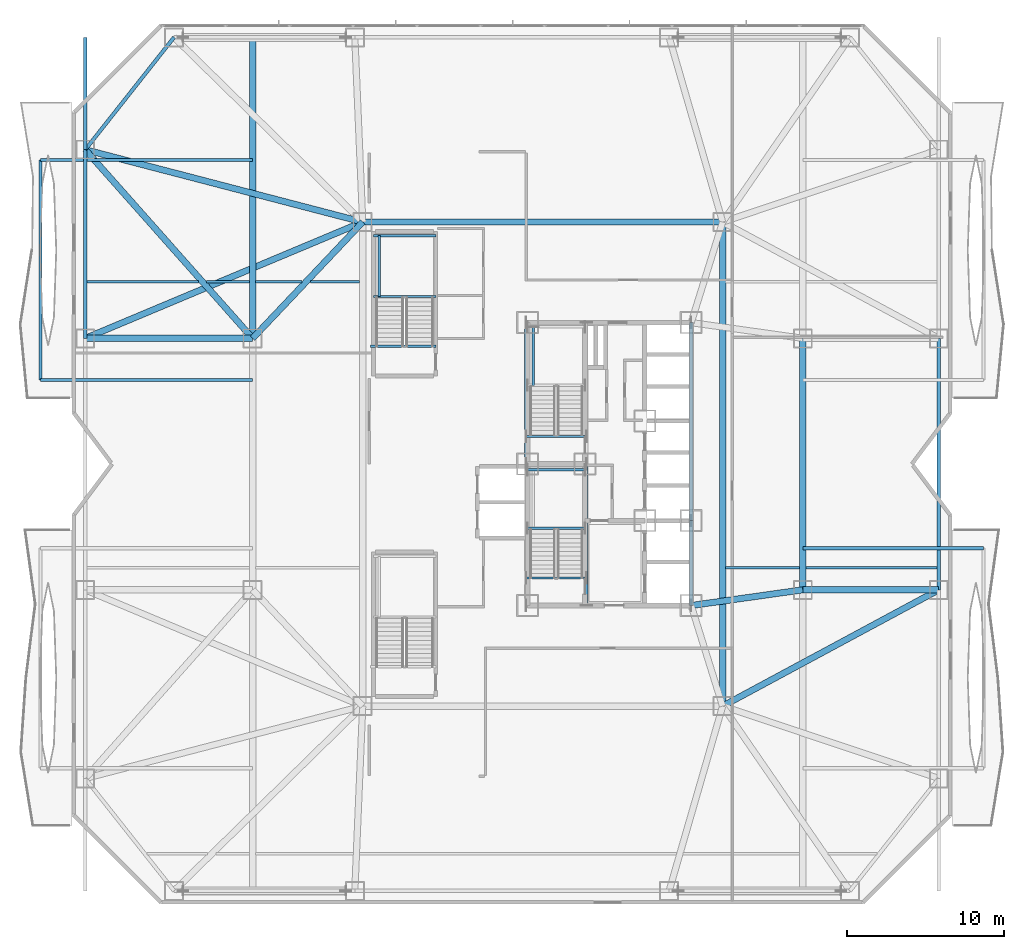
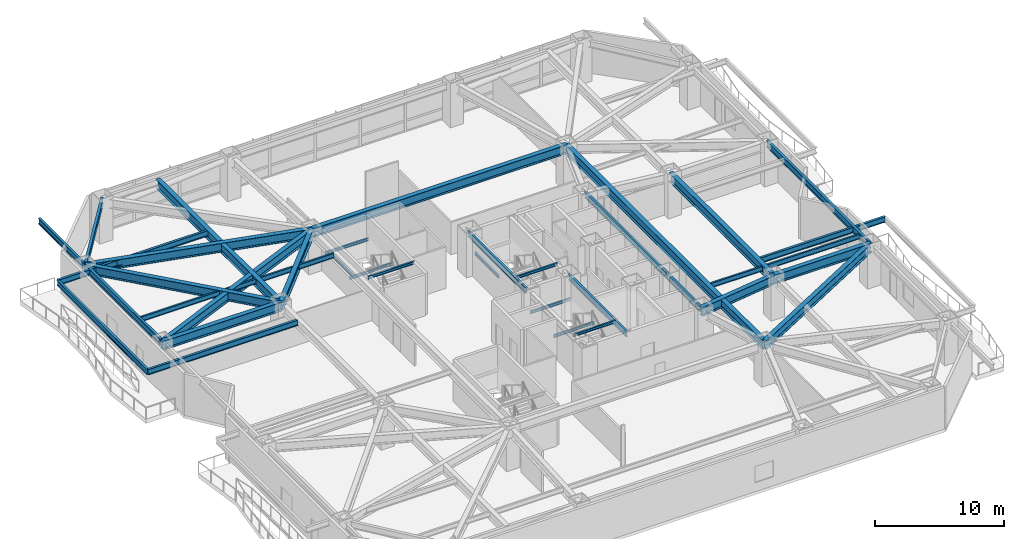
# One storey, part 2 of 24: 39 beams.
"""IFC4 building model written with IfcOpenShell, lengths in metres."""

import ifcopenshell
import ifcopenshell.guid

model = None  # the IFC model being written
_history = None  # IfcOwnerHistory: only IFC2X3 demands one
_inside = {}  # id of a spatial element -> (the spatial element, [elements in it])
_under = {}  # id of a project, library or spatial element -> (it, [spatial elements below it])
_declared = {}  # id of a project -> (the project, [libraries it declares])
_typed = {}  # id of a type object -> (the type object, [elements of that type])
_made_of = {}  # id of a material, layer set ... -> (it, [elements and type objects made of it])


def new_model(schema):
    """Start an empty IFC model of exactly this schema.

    Asked for "IFC4X3", IfcOpenShell would pick the latest addendum, in which some entities
    have other attributes; the version numbers below select the first issue.
    IFC2X3 requires an IfcOwnerHistory on every rooted entity: one is made here for all.
    """
    global model, _history
    if schema == "IFC4X3":
        model = ifcopenshell.file(schema_version=(4, 3, 0, 0))
    else:
        model = ifcopenshell.file(schema=schema)
    _inside.clear()
    _under.clear()
    _declared.clear()
    _typed.clear()
    _made_of.clear()
    _history = None
    if model.schema == "IFC2X3":
        org = make("IfcOrganization", Name="unknown")
        user = make(
            "IfcPersonAndOrganization",
            ThePerson=make("IfcPerson", FamilyName="unknown"),
            TheOrganization=org,
        )
        app = make(
            "IfcApplication",
            ApplicationDeveloper=org,
            Version="unknown",
            ApplicationFullName="unknown",
            ApplicationIdentifier="unknown",
        )
        _history = make(
            "IfcOwnerHistory",
            OwningUser=user,
            OwningApplication=app,
            ChangeAction="ADDED",
            CreationDate=0,
        )
    return model


def make(cls, **values):
    """One entity of the class cls with the attributes given. An attribute that is None is left unset."""
    return model.create_entity(
        cls, **{name: value for name, value in values.items() if value is not None}
    )


def rooted(cls, **values):
    """An entity with a GlobalId (a new one), such as an element, a storey or a relation."""
    return make(cls, GlobalId=ifcopenshell.guid.new(), OwnerHistory=_history, **values)


def si_unit(unit_type, name, prefix=None):
    """IfcSIUnit, for example si_unit("LENGTHUNIT", "METRE", prefix="MILLI")."""
    return make("IfcSIUnit", UnitType=unit_type, Prefix=prefix, Name=name)


def assignment(units):
    """IfcUnitAssignment: the units of a project."""
    return None if units is None else make("IfcUnitAssignment", Units=units)


def point(xyz):
    """IfcCartesianPoint."""
    return None if xyz is None else make("IfcCartesianPoint", Coordinates=xyz)


def direction(xyz):
    """IfcDirection."""
    return None if xyz is None else make("IfcDirection", DirectionRatios=xyz)


def frame(location, z_axis=None, x_axis=None):
    """IfcAxis2Placement3D, a coordinate frame: its origin and axes. An axis left out is left unset."""
    return make(
        "IfcAxis2Placement3D",
        Location=point(location),
        Axis=direction(z_axis),
        RefDirection=direction(x_axis),
    )


def frame_2d(location, x_axis=None):
    """IfcAxis2Placement2D, a coordinate frame in the plane: its origin and x axis."""
    return make(
        "IfcAxis2Placement2D", Location=point(location), RefDirection=direction(x_axis)
    )


def origin():
    """The frame at (0, 0, 0) with its axes left unset."""
    return frame((0.0, 0.0, 0.0))


def origin_2d():
    """The frame at (0, 0) in the plane with its x axis left unset."""
    return frame_2d((0.0, 0.0))


def place(relative_to, where):
    """IfcLocalPlacement: puts the frame where relative to a parent placement (None: the world)."""
    return make(
        "IfcLocalPlacement", PlacementRelTo=relative_to, RelativePlacement=where
    )


def context(
    kind, dimensions, precision=None, world=None, true_north=None, identifier=None
):
    """IfcGeometricRepresentationContext, for example the 3D "Model" context."""
    return make(
        "IfcGeometricRepresentationContext",
        ContextIdentifier=identifier,
        ContextType=kind,
        CoordinateSpaceDimension=dimensions,
        Precision=precision,
        WorldCoordinateSystem=world,
        TrueNorth=true_north,
    )


def subcontext(parent, identifier, kind, view, scale=None):
    """IfcGeometricRepresentationSubContext, for example "Body" below "Model"."""
    return make(
        "IfcGeometricRepresentationSubContext",
        ContextIdentifier=identifier,
        ContextType=kind,
        ParentContext=parent,
        TargetScale=scale,
        TargetView=view,
    )


def project(units=None, contexts=None):
    """IfcProject with its units and contexts."""
    return rooted(
        "IfcProject",
        Name="project",
        RepresentationContexts=contexts,
        UnitsInContext=assignment(units),
    )


def spatial(cls, under=None, at=None, **own):
    """A site, building, storey or space (cls), placed at a placement, below another one or the project."""
    s = rooted(cls, ObjectPlacement=at, **own)
    if under is not None:
        _under.setdefault(under.id(), (under, []))[1].append(s)
    return s


def profile(cls, at=None, kind="AREA", **sizes):
    """A parametric profile (cls). Its sizes go by their IFC names, for example OverallWidth=200.0."""
    return make(cls, ProfileType=kind, Position=at, **sizes)


def i_section(**sizes):
    """IfcIShapeProfileDef."""
    return profile("IfcIShapeProfileDef", **sizes)


def extrude(swept, where, along, depth):
    """IfcExtrudedAreaSolid: the profile swept, set in the frame where, extruded along a direction by depth."""
    return make(
        "IfcExtrudedAreaSolid",
        SweptArea=swept,
        Position=where,
        ExtrudedDirection=direction(along),
        Depth=depth,
    )


def shape(context_of_items, identifier, shape_type, items):
    """IfcShapeRepresentation: the items that make up one representation, for example the "Body"."""
    return make(
        "IfcShapeRepresentation",
        ContextOfItems=context_of_items,
        RepresentationIdentifier=identifier,
        RepresentationType=shape_type,
        Items=items,
    )


def material(Name=None, Category=None):
    """IfcMaterial."""
    return make("IfcMaterial", Name=Name, Category=Category)


def material_profile(
    of_material, cross_section, Name=None, Category=None, Priority=None
):
    """IfcMaterialProfile: a cross section and its material."""
    return make(
        "IfcMaterialProfile",
        Name=Name,
        Material=of_material,
        Profile=cross_section,
        Priority=Priority,
        Category=Category,
    )


def profile_set(profiles, Name=None, composite=None):
    """IfcMaterialProfileSet."""
    return make(
        "IfcMaterialProfileSet",
        Name=Name,
        MaterialProfiles=profiles,
        CompositeProfile=composite,
    )


def made_of(thing, what):
    """Note that an element or type object is made of a material, layer set ...; save() writes the relation."""
    if what is not None:
        _made_of.setdefault(what.id(), (what, []))[1].append(thing)
    return thing


def type_object(cls, material=None, **own):
    """A type object (cls), such as IfcWallType, which elements share."""
    return made_of(rooted(cls, **own), material)


def element(
    cls,
    number,
    at=None,
    inside=None,
    cuts=None,
    type_object=None,
    material=None,
    context=None,
    identifier="Body",
    shape_type=None,
    held_by="IfcProductDefinitionShape",
    body=None,
    shapes=None,
    **own,
):
    """One element of the class cls, such as IfcWall. Its Tag is "e" and its number.

    at: its placement. inside: the storey or other place that contains it. cuts: it is an
    opening in that element (IfcRelVoidsElement). A single representation is given by context,
    identifier, shape_type and body (its items); several are given by shapes. held_by: the class
    of the entity that holds the representations. save() writes the other relations.
    """
    e = rooted(cls, Tag="e%d" % number, ObjectPlacement=at, **own)
    if body is not None:
        shapes = [shape(context, identifier, shape_type, body)]
    if shapes is not None:
        e.Representation = make(held_by, Representations=shapes)
    if inside is not None:
        _inside.setdefault(inside.id(), (inside, []))[1].append(e)
    if cuts is not None:
        rooted(
            "IfcRelVoidsElement", RelatingBuildingElement=cuts, RelatedOpeningElement=e
        )
    if type_object is not None:
        _typed.setdefault(type_object.id(), (type_object, []))[1].append(e)
    return made_of(e, material)


def aggregate(whole, parts):
    """IfcRelAggregates: a whole, such as a stair, and the parts it consists of."""
    return rooted("IfcRelAggregates", RelatingObject=whole, RelatedObjects=parts)


def save(model, path):
    """Write the relations noted so far, then the file.

    IfcRelAggregates (storeys below a building ...), IfcRelContainedInSpatialStructure (elements
    in a storey), IfcRelDefinesByType, IfcRelAssociatesMaterial and IfcRelDeclares: one each for
    every whole, place, type object, material and project.
    """
    for whole, parts in _under.values():
        aggregate(whole, parts)
    for where, things in _inside.values():
        rooted(
            "IfcRelContainedInSpatialStructure",
            RelatedElements=things,
            RelatingStructure=where,
        )
    for kind, things in _typed.values():
        rooted("IfcRelDefinesByType", RelatedObjects=things, RelatingType=kind)
    for what, things in _made_of.values():
        rooted("IfcRelAssociatesMaterial", RelatedObjects=things, RelatingMaterial=what)
    for by, libraries in _declared.values():
        rooted("IfcRelDeclares", RelatingContext=by, RelatedDefinitions=libraries)
    model.write(path)


model = new_model("IFC4")

# Units and contexts
model_context = context("Model", 3, precision=1e-05, world=origin(), true_north=direction((0.0, 1.0)))
body_context = subcontext(model_context, "Body", "Model", "MODEL_VIEW")
ifc_project = project(units=[si_unit("LENGTHUNIT", "METRE"), si_unit("AREAUNIT", "SQUARE_METRE"), si_unit("VOLUMEUNIT", "CUBIC_METRE"), si_unit("PLANEANGLEUNIT", "RADIAN"), si_unit("MASSUNIT", "GRAM", prefix="KILO")], contexts=[model_context])

# Site, building, storey
site_placement = place(None, origin())
site = spatial("IfcSite", under=ifc_project, at=site_placement, CompositionType="ELEMENT")
building_placement = place(site_placement, origin())
building = spatial("IfcBuilding", under=site, at=building_placement, Name="Khamvora Tower", CompositionType="ELEMENT")
storey_placement = place(building_placement, frame((0.0, 0.0, 20.39990234375)))
storey = spatial("IfcBuildingStorey", under=building, at=storey_placement, Name="L04", CompositionType="ELEMENT", Elevation=20.39990234375)

# Beams
ifc_material = material(Name="Steel S355", Category="steel")
ifc_material_profile_1 = material_profile(ifc_material, i_section(OverallWidth=0.154052734375, OverallDepth=0.458984375, WebThickness=0.009033203125, FlangeThickness=0.014892578125, FilletRadius=0.011962890625, at=origin_2d()), Name="W460x68")
ifc_profile_set_1 = profile_set([ifc_material_profile_1], Name="Steel S355")
beam_type_1 = type_object("IfcBeamType", Name="BM-JS-W460x68", PredefinedType="JOIST", material=ifc_profile_set_1)
beam_1_placement = place(storey_placement, frame((41.594970703125, 21.39990234375, 3.690185546875), z_axis=(1.0, 0.0, 0.0), x_axis=(0.0, 1.0, 0.0)))
element("IfcBeam", 1, at=beam_1_placement, inside=storey, type_object=beam_type_1, Name="L04 secondary floor joist 09", PredefinedType="JOIST", context=body_context, shape_type="SweptSolid", body=[
    extrude(i_section(OverallWidth=0.154052734375, OverallDepth=0.458984375, WebThickness=0.009033203125, FlangeThickness=0.014892578125, FilletRadius=0.011962890625, at=origin_2d()), origin(), (0.0, 0.0, 1.0), 4.7099609375),
])
beam_2_placement = place(storey_placement, frame((46.695068359375, 21.39990234375, 3.690185546875), z_axis=(1.0, 0.0, 0.0), x_axis=(0.0, 1.0, 0.0)))
element("IfcBeam", 2, at=beam_2_placement, inside=storey, type_object=beam_type_1, Name="L04 secondary floor joist 10", PredefinedType="JOIST", context=body_context, shape_type="SweptSolid", body=[
    extrude(i_section(OverallWidth=0.154052734375, OverallDepth=0.458984375, WebThickness=0.009033203125, FlangeThickness=0.014892578125, FilletRadius=0.011962890625, at=origin_2d()), origin(), (0.0, 0.0, 1.0), 8.344970703125),
])
beam_3_placement = place(storey_placement, frame((0.9599609375, 39.60009765625, 3.690185546875), z_axis=(1.0, 0.0, 0.0), x_axis=(0.0, 1.0, 0.0)))
element("IfcBeam", 3, at=beam_3_placement, inside=storey, type_object=beam_type_1, Name="L04 secondary floor joist 11", PredefinedType="JOIST", context=body_context, shape_type="SweptSolid", body=[
    extrude(i_section(OverallWidth=0.154052734375, OverallDepth=0.458984375, WebThickness=0.009033203125, FlangeThickness=0.014892578125, FilletRadius=0.011962890625, at=origin_2d()), origin(), (0.0, 0.0, 1.0), 7.0830078125),
])
beam_4_placement = place(storey_placement, frame((8.56689453125, 39.60009765625, 3.690185546875), z_axis=(1.0, 0.0, 0.0), x_axis=(0.0, 1.0, 0.0)))
element("IfcBeam", 4, at=beam_4_placement, inside=storey, type_object=beam_type_1, Name="L04 secondary floor joist 12", PredefinedType="JOIST", context=body_context, shape_type="SweptSolid", body=[
    extrude(i_section(OverallWidth=0.154052734375, OverallDepth=0.458984375, WebThickness=0.009033203125, FlangeThickness=0.014892578125, FilletRadius=0.011962890625, at=origin_2d()), origin(), (0.0, 0.0, 1.0), 2.738037109375),
])
beam_5_placement = place(storey_placement, frame((11.695068359375, 39.60009765625, 3.690185546875), z_axis=(1.0, 0.0, 0.0), x_axis=(0.0, 1.0, 0.0)))
element("IfcBeam", 5, at=beam_5_placement, inside=storey, type_object=beam_type_1, Name="L04 secondary floor joist 13", PredefinedType="JOIST", context=body_context, shape_type="SweptSolid", body=[
    extrude(i_section(OverallWidth=0.154052734375, OverallDepth=0.458984375, WebThickness=0.009033203125, FlangeThickness=0.014892578125, FilletRadius=0.011962890625, at=origin_2d()), origin(), (0.0, 0.0, 1.0), 2.93994140625),
])
beam_6_placement = place(storey_placement, frame((15.176025390625, 39.60009765625, 3.690185546875), z_axis=(1.0, 0.0, 0.0), x_axis=(0.0, 1.0, 0.0)))
element("IfcBeam", 6, at=beam_6_placement, inside=storey, type_object=beam_type_1, Name="L04 secondary floor joist 14", PredefinedType="JOIST", context=body_context, shape_type="SweptSolid", body=[
    extrude(i_section(OverallWidth=0.154052734375, OverallDepth=0.458984375, WebThickness=0.009033203125, FlangeThickness=0.014892578125, FilletRadius=0.011962890625, at=origin_2d()), origin(), (0.0, 0.0, 1.0), 3.12890625),
])
ifc_material_profile_2 = material_profile(ifc_material, i_section(OverallWidth=0.14697265625, OverallDepth=0.261962890625, WebThickness=0.007080078125, FlangeThickness=0.010986328125, FilletRadius=0.008056640625, at=origin_2d()), Name="W250x39")
ifc_profile_set_2 = profile_set([ifc_material_profile_2], Name="Steel S355")
beam_type_2 = type_object("IfcBeamType", Name="BM-LN-W250x39", PredefinedType="LINTEL", material=ifc_profile_set_2)
for number, where, z_axis, x_axis, name in (
    (7, (29.0, 23.9150390625, 1.76904296875), (1.0, 0.0, 0.0), (0.0, 1.0, 0.0), "L04 ST-01 half-landing support beam 1.1"),
    (8, (29.0, 27.6298828125, 1.76904296875), (1.0, 0.0, 0.0), (0.0, 1.0, 0.0), "L04 ST-01 half-landing support beam 1.2"),
):
    element("IfcBeam", number, at=place(storey_placement, frame(where, z_axis=z_axis, x_axis=x_axis)), inside=storey, type_object=beam_type_2, Name=name, PredefinedType="LINTEL", context=body_context, shape_type="SweptSolid", body=[
        extrude(i_section(OverallWidth=0.14697265625, OverallDepth=0.261962890625, WebThickness=0.007080078125, FlangeThickness=0.010986328125, FilletRadius=0.008056640625, at=origin_2d()), origin(), (0.0, 0.0, 1.0), 3.64990234375),
    ])
beam_7_placement = place(storey_placement, frame((29.35009765625, 33.014892578125, 1.76904296875), z_axis=(0.0, 1.0, 0.0), x_axis=(-1.0, 0.0, 0.0)))
element("IfcBeam", 9, at=beam_7_placement, inside=storey, type_object=beam_type_2, Name="L04 ST-02 half-landing edge stringer 1", PredefinedType="LINTEL", context=body_context, shape_type="SweptSolid", body=[
    extrude(i_section(OverallWidth=0.14697265625, OverallDepth=0.261962890625, WebThickness=0.007080078125, FlangeThickness=0.010986328125, FilletRadius=0.008056640625, at=origin_2d()), origin(), (0.0, 0.0, 1.0), 3.715087890625),
])
for number, where, z_axis, x_axis, name in (
    (10, (19.199951171875, 38.6650390625, 1.76904296875), (1.0, 0.0, 0.0), (0.0, 1.0, 0.0), "L04 ST-04 half-landing support beam 1.1"),
    (11, (19.199951171875, 42.530029296875, 1.76904296875), (1.0, 0.0, 0.0), (0.0, 1.0, 0.0), "L04 ST-04 half-landing support beam 1.2"),
):
    element("IfcBeam", number, at=place(storey_placement, frame(where, z_axis=z_axis, x_axis=x_axis)), inside=storey, type_object=beam_type_2, Name=name, PredefinedType="LINTEL", context=body_context, shape_type="SweptSolid", body=[
        extrude(i_section(OverallWidth=0.14697265625, OverallDepth=0.261962890625, WebThickness=0.007080078125, FlangeThickness=0.010986328125, FilletRadius=0.008056640625, at=origin_2d()), origin(), (0.0, 0.0, 1.0), 3.949951171875),
    ])
beam_8_placement = place(storey_placement, frame((19.550048828125, 38.6650390625, 1.76904296875), z_axis=(0.0, 1.0, 0.0), x_axis=(-1.0, 0.0, 0.0)))
element("IfcBeam", 12, at=beam_8_placement, inside=storey, type_object=beam_type_2, Name="L04 ST-04 half-landing edge stringer 1", PredefinedType="LINTEL", context=body_context, shape_type="SweptSolid", body=[
    extrude(i_section(OverallWidth=0.14697265625, OverallDepth=0.261962890625, WebThickness=0.007080078125, FlangeThickness=0.010986328125, FilletRadius=0.008056640625, at=origin_2d()), origin(), (0.0, 0.0, 1.0), 3.864990234375),
])
for number, where, z_axis, x_axis, name in (
    (13, (28.89990234375, 20.75, 3.794189453125), (1.0, 0.0, 0.0), (0.0, 1.0, 0.0), "L04 exit stair ST-01 landing trimmer beam"),
    (14, (28.89990234375, 29.75, 3.794189453125), (1.0, 0.0, 0.0), (0.0, 1.0, 0.0), "L04 exit stair ST-02 landing trimmer beam"),
):
    element("IfcBeam", number, at=place(storey_placement, frame(where, z_axis=z_axis, x_axis=x_axis)), inside=storey, type_object=beam_type_2, Name=name, PredefinedType="LINTEL", context=body_context, shape_type="SweptSolid", body=[
        extrude(i_section(OverallWidth=0.14697265625, OverallDepth=0.261962890625, WebThickness=0.007080078125, FlangeThickness=0.010986328125, FilletRadius=0.008056640625, at=origin_2d()), origin(), (0.0, 0.0, 1.0), 3.830078125),
    ])
beam_9_placement = place(storey_placement, frame((19.0, 35.5, 3.794189453125), z_axis=(1.0, 0.0, 0.0), x_axis=(0.0, 1.0, 0.0)))
element("IfcBeam", 15, at=beam_9_placement, inside=storey, type_object=beam_type_2, Name="L04 podium stair ST04 landing trimmer beam", PredefinedType="LINTEL", context=body_context, shape_type="SweptSolid", body=[
    extrude(i_section(OverallWidth=0.14697265625, OverallDepth=0.261962890625, WebThickness=0.007080078125, FlangeThickness=0.010986328125, FilletRadius=0.008056640625, at=origin_2d()), origin(), (0.0, 0.0, 1.0), 4.14990234375),
])
ifc_material_profile_3 = material_profile(ifc_material, i_section(OverallWidth=0.39990234375, OverallDepth=0.85498046875, WebThickness=0.01806640625, FlangeThickness=0.029052734375, FilletRadius=0.01806640625, at=origin_2d()), Name="W840x299")
ifc_profile_set_3 = profile_set([ifc_material_profile_3], Name="Steel S355")
beam_type_3 = type_object("IfcBeamType", Name="BM-PG-W840x299", PredefinedType="BEAM", material=ifc_profile_set_3)
beam_10_placement = place(storey_placement, frame((41.39990234375, 12.60009765625, 3.4931640625), z_axis=(0.0, 1.0, 0.0), x_axis=(-1.0, 0.0, 0.0)))
element("IfcBeam", 16, at=beam_10_placement, inside=storey, type_object=beam_type_3, Name="L04 longitudinal frame girder P18-P20", PredefinedType="BEAM", context=body_context, shape_type="SweptSolid", body=[
    extrude(i_section(OverallWidth=0.39990234375, OverallDepth=0.85498046875, WebThickness=0.01806640625, FlangeThickness=0.029052734375, FilletRadius=0.01806640625, at=origin_2d()), origin(), (0.0, 0.0, 1.0), 30.7998046875),
])
beam_11_placement = place(storey_placement, frame((18.5, 43.39990234375, 3.4931640625), z_axis=(1.0, 0.0, 0.0), x_axis=(0.0, 1.0, 0.0)))
element("IfcBeam", 17, at=beam_11_placement, inside=storey, type_object=beam_type_3, Name="L04 longitudinal frame girder P19-P20", PredefinedType="BEAM", context=body_context, shape_type="SweptSolid", body=[
    extrude(i_section(OverallWidth=0.39990234375, OverallDepth=0.85498046875, WebThickness=0.01806640625, FlangeThickness=0.029052734375, FilletRadius=0.01806640625, at=origin_2d()), origin(), (0.0, 0.0, 1.0), 22.89990234375),
])
beam_12_placement = place(storey_placement, frame((46.5, 20.0, 3.4931640625), z_axis=(0.0, 1.0, 0.0), x_axis=(-1.0, 0.0, 0.0)))
element("IfcBeam", 18, at=beam_12_placement, inside=storey, type_object=beam_type_3, Name="L04 longitudinal frame girder P23-P24", PredefinedType="BEAM", context=body_context, shape_type="SweptSolid", body=[
    extrude(i_section(OverallWidth=0.39990234375, OverallDepth=0.85498046875, WebThickness=0.01806640625, FlangeThickness=0.029052734375, FilletRadius=0.01806640625, at=origin_2d()), origin(), (0.0, 0.0, 1.0), 16.0),
])
beam_13_placement = place(storey_placement, frame((11.5, 36.0, 3.4931640625), z_axis=(-1.0, 0.0, 0.0), x_axis=(0.0, -1.0, 0.0)))
element("IfcBeam", 19, at=beam_13_placement, inside=storey, type_object=beam_type_3, Name="L04 primary floor girder P11", PredefinedType="BEAM", context=body_context, shape_type="SweptSolid", body=[
    extrude(i_section(OverallWidth=0.39990234375, OverallDepth=0.85498046875, WebThickness=0.01806640625, FlangeThickness=0.029052734375, FilletRadius=0.01806640625, at=origin_2d()), origin(), (0.0, 0.0, 1.0), 10.64990234375),
])
beam_14_placement = place(storey_placement, frame((11.5, 36.0, 3.4931640625), z_axis=(-0.6637799472, 0.747927925468, 0.0), x_axis=(-0.747927925468, -0.6637799472, 0.0)))
element("IfcBeam", 20, at=beam_14_placement, inside=storey, type_object=beam_type_3, Name="L04 primary floor girder P12", PredefinedType="BEAM", context=body_context, shape_type="SweptSolid", body=[
    extrude(i_section(OverallWidth=0.39990234375, OverallDepth=0.85498046875, WebThickness=0.01806640625, FlangeThickness=0.029052734375, FilletRadius=0.01806640625, at=origin_2d()), origin(), (0.0, 0.0, 1.0), 16.04443359375),
])
beam_15_placement = place(storey_placement, frame((46.5, 20.0, 3.4931640625), z_axis=(1.0, 0.0, 0.0), x_axis=(0.0, 1.0, 0.0)))
element("IfcBeam", 21, at=beam_15_placement, inside=storey, type_object=beam_type_3, Name="L04 primary floor girder P14", PredefinedType="BEAM", context=body_context, shape_type="SweptSolid", body=[
    extrude(i_section(OverallWidth=0.39990234375, OverallDepth=0.85498046875, WebThickness=0.01806640625, FlangeThickness=0.029052734375, FilletRadius=0.01806640625, at=origin_2d()), origin(), (0.0, 0.0, 1.0), 8.64990234375),
])
beam_16_placement = place(storey_placement, frame((18.5, 43.39990234375, 3.4931640625), z_axis=(-0.687204640029, -0.726463889483, 0.0), x_axis=(0.726463889483, -0.687204640029, 0.0)))
element("IfcBeam", 22, at=beam_16_placement, inside=storey, type_object=beam_type_3, Name="L04 primary floor girder P22", PredefinedType="BEAM", context=body_context, shape_type="SweptSolid", body=[
    extrude(i_section(OverallWidth=0.39990234375, OverallDepth=0.85498046875, WebThickness=0.01806640625, FlangeThickness=0.029052734375, FilletRadius=0.01806640625, at=origin_2d()), origin(), (0.0, 0.0, 1.0), 10.186279296875),
])
beam_17_placement = place(storey_placement, frame((39.39990234375, 19.0, 3.4931640625), z_axis=(0.990226770029, 0.139466640879, 0.0), x_axis=(-0.139466640879, 0.990226770029, 0.0)))
element("IfcBeam", 23, at=beam_17_placement, inside=storey, type_object=beam_type_3, Name="L04 primary floor girder P23", PredefinedType="BEAM", context=body_context, shape_type="SweptSolid", body=[
    extrude(i_section(OverallWidth=0.39990234375, OverallDepth=0.85498046875, WebThickness=0.01806640625, FlangeThickness=0.029052734375, FilletRadius=0.01806640625, at=origin_2d()), origin(), (0.0, 0.0, 1.0), 7.170166015625),
])
beam_18_placement = place(storey_placement, frame((55.14990234375, 20.0, 3.4931640625), z_axis=(-0.880576508414, -0.473904012252, 0.0), x_axis=(0.473904012252, -0.880576508414, 0.0)))
element("IfcBeam", 24, at=beam_18_placement, inside=storey, type_object=beam_type_3, Name="L04 east plinth tie girder 2", PredefinedType="BEAM", context=body_context, shape_type="SweptSolid", body=[
    extrude(i_section(OverallWidth=0.39990234375, OverallDepth=0.85498046875, WebThickness=0.01806640625, FlangeThickness=0.029052734375, FilletRadius=0.01806640625, at=origin_2d()), origin(), (0.0, 0.0, 1.0), 15.61474609375),
])
beam_19_placement = place(storey_placement, frame((0.85009765625, 36.0, 3.4931640625), z_axis=(0.922225491396, 0.386652483529, 0.0), x_axis=(-0.386652483529, 0.922225491396, 0.0)))
element("IfcBeam", 25, at=beam_19_placement, inside=storey, type_object=beam_type_3, Name="L04 west plinth tie girder 3", PredefinedType="BEAM", context=body_context, shape_type="SweptSolid", body=[
    extrude(i_section(OverallWidth=0.39990234375, OverallDepth=0.85498046875, WebThickness=0.01806640625, FlangeThickness=0.029052734375, FilletRadius=0.01806640625, at=origin_2d()), origin(), (0.0, 0.0, 1.0), 19.138427734375),
])
beam_20_placement = place(storey_placement, frame((0.85009765625, 48.0, 3.4931640625), z_axis=(0.967673821538, -0.252205025942, 0.0), x_axis=(0.252205025942, 0.967673821538, 0.0)))
element("IfcBeam", 26, at=beam_20_placement, inside=storey, type_object=beam_type_3, Name="L04 west plinth tie girder 4", PredefinedType="BEAM", context=body_context, shape_type="SweptSolid", body=[
    extrude(i_section(OverallWidth=0.39990234375, OverallDepth=0.85498046875, WebThickness=0.01806640625, FlangeThickness=0.029052734375, FilletRadius=0.01806640625, at=origin_2d()), origin(), (0.0, 0.0, 1.0), 18.239501953125),
])
beam_21_placement = place(storey_placement, frame((11.5, 36.0, 3.4931640625), z_axis=(0.0, 1.0, 0.0), x_axis=(-1.0, 0.0, 0.0)))
element("IfcBeam", 27, at=beam_21_placement, inside=storey, type_object=beam_type_3, Name="L04 gallery collector girder W.3", PredefinedType="BEAM", context=body_context, shape_type="SweptSolid", body=[
    extrude(i_section(OverallWidth=0.39990234375, OverallDepth=0.85498046875, WebThickness=0.01806640625, FlangeThickness=0.029052734375, FilletRadius=0.01806640625, at=origin_2d()), origin(), (0.0, 0.0, 1.0), 19.14990234375),
])
ifc_material_profile_4 = material_profile(ifc_material, i_section(OverallWidth=0.2119140625, OverallDepth=0.5439453125, WebThickness=0.012939453125, FlangeThickness=0.02099609375, FilletRadius=0.013916015625, at=origin_2d()), Name="W530x123")
ifc_profile_set_4 = profile_set([ifc_material_profile_4], Name="Steel S355")
beam_type_4 = type_object("IfcBeamType", Name="BM-SP-W530x123", PredefinedType="SPANDREL", material=ifc_profile_set_4)
beam_22_placement = place(storey_placement, frame((0.85009765625, 48.0, 3.648193359375), z_axis=(0.0, 1.0, 0.0), x_axis=(-1.0, 0.0, 0.0)))
element("IfcBeam", 28, at=beam_22_placement, inside=storey, type_object=beam_type_4, Name="L04 W perimeter edge spandrel 5", PredefinedType="SPANDREL", context=body_context, shape_type="SweptSolid", body=[
    extrude(i_section(OverallWidth=0.2119140625, OverallDepth=0.5439453125, WebThickness=0.012939453125, FlangeThickness=0.02099609375, FilletRadius=0.013916015625, at=origin_2d()), origin(), (0.0, 0.0, 1.0), 7.14990234375),
])
ifc_material_profile_5 = material_profile(ifc_material, i_section(OverallWidth=0.208984375, OverallDepth=0.532958984375, WebThickness=0.010009765625, FlangeThickness=0.01611328125, FilletRadius=0.013916015625, at=origin_2d()), Name="W530x92")
ifc_profile_set_5 = profile_set([ifc_material_profile_5], Name="Steel S355")
beam_type_5 = type_object("IfcBeamType", Name="BM-SP-W530x92", PredefinedType="SPANDREL", material=ifc_profile_set_5)
for number, where, z_axis, x_axis, name in (
    (29, (28.89990234375, 28.0, 3.653076171875), (0.0, 1.0, 0.0), (-1.0, 0.0, 0.0), "L04 core spine girder WN"),
    (30, (32.72998046875, 19.0, 3.653076171875), (0.0, 1.0, 0.0), (-1.0, 0.0, 0.0), "L04 core spine girder M1S"),
):
    element("IfcBeam", number, at=place(storey_placement, frame(where, z_axis=z_axis, x_axis=x_axis)), inside=storey, type_object=beam_type_5, Name=name, PredefinedType="SPANDREL", context=body_context, shape_type="SweptSolid", body=[
        extrude(i_section(OverallWidth=0.208984375, OverallDepth=0.532958984375, WebThickness=0.010009765625, FlangeThickness=0.01611328125, FilletRadius=0.013916015625, at=origin_2d()), origin(), (0.0, 0.0, 1.0), 9.0),
    ])
beam_23_placement = place(storey_placement, frame((39.39990234375, 19.0, 3.653076171875), z_axis=(0.0, 1.0, 0.0), x_axis=(-1.0, 0.0, 0.0)))
element("IfcBeam", 31, at=beam_23_placement, inside=storey, type_object=beam_type_5, Name="L04 core spine girder ES", PredefinedType="SPANDREL", context=body_context, shape_type="SweptSolid", body=[
    extrude(i_section(OverallWidth=0.208984375, OverallDepth=0.532958984375, WebThickness=0.010009765625, FlangeThickness=0.01611328125, FilletRadius=0.013916015625, at=origin_2d()), origin(), (0.0, 0.0, 1.0), 5.39990234375),
])
beam_24_placement = place(storey_placement, frame((39.39990234375, 24.39990234375, 3.653076171875), z_axis=(0.0, 1.0, 0.0), x_axis=(-1.0, 0.0, 0.0)))
element("IfcBeam", 32, at=beam_24_placement, inside=storey, type_object=beam_type_5, Name="L04 core spine girder EN", PredefinedType="SPANDREL", context=body_context, shape_type="SweptSolid", body=[
    extrude(i_section(OverallWidth=0.208984375, OverallDepth=0.532958984375, WebThickness=0.010009765625, FlangeThickness=0.01611328125, FilletRadius=0.013916015625, at=origin_2d()), origin(), (0.0, 0.0, 1.0), 12.60009765625),
])
beam_25_placement = place(storey_placement, frame((46.5, 22.64990234375, 3.51318359375), z_axis=(1.0, 0.0, 0.0), x_axis=(0.0, 1.0, 0.0)))
element("IfcBeam", 33, at=beam_25_placement, inside=storey, type_object=beam_type_5, Name="L04 continuous gallery cantilever girder L05-EL1-2", PredefinedType="SPANDREL", context=body_context, shape_type="SweptSolid", body=[
    extrude(i_section(OverallWidth=0.208984375, OverallDepth=0.532958984375, WebThickness=0.010009765625, FlangeThickness=0.01611328125, FilletRadius=0.013916015625, at=origin_2d()), origin(), (0.0, 0.0, 1.0), 11.5),
])
for number, where, z_axis, x_axis, name in (
    (34, (11.5, 33.35009765625, 3.51318359375), (-1.0, 0.0, 0.0), (0.0, -1.0, 0.0), "L04 continuous gallery cantilever girder L05-WL2-1"),
    (35, (11.5, 47.35009765625, 3.51318359375), (-1.0, 0.0, 0.0), (0.0, -1.0, 0.0), "L04 continuous gallery cantilever girder L05-WL2-2"),
):
    element("IfcBeam", number, at=place(storey_placement, frame(where, z_axis=z_axis, x_axis=x_axis)), inside=storey, type_object=beam_type_5, Name=name, PredefinedType="SPANDREL", context=body_context, shape_type="SweptSolid", body=[
        extrude(i_section(OverallWidth=0.208984375, OverallDepth=0.532958984375, WebThickness=0.010009765625, FlangeThickness=0.01611328125, FilletRadius=0.013916015625, at=origin_2d()), origin(), (0.0, 0.0, 1.0), 13.5),
    ])
beam_26_placement = place(storey_placement, frame((-2.0, 33.35009765625, 3.51318359375), z_axis=(0.0, 1.0, 0.0), x_axis=(-1.0, 0.0, 0.0)))
element("IfcBeam", 36, at=beam_26_placement, inside=storey, type_object=beam_type_5, Name="L04 external gallery edge header beam L05-WL2", PredefinedType="SPANDREL", context=body_context, shape_type="SweptSolid", body=[
    extrude(i_section(OverallWidth=0.208984375, OverallDepth=0.532958984375, WebThickness=0.010009765625, FlangeThickness=0.01611328125, FilletRadius=0.013916015625, at=origin_2d()), origin(), (0.0, 0.0, 1.0), 14.0),
])
ifc_material_profile_6 = material_profile(ifc_material, i_section(OverallWidth=0.22998046875, OverallDepth=0.616943359375, WebThickness=0.012939453125, FlangeThickness=0.02197265625, FilletRadius=0.013916015625, at=origin_2d()), Name="W610x140")
ifc_profile_set_6 = profile_set([ifc_material_profile_6], Name="Steel S355")
beam_type_6 = type_object("IfcBeamType", Name="BM-SP-W610x140", PredefinedType="SPANDREL", material=ifc_profile_set_6)
beam_27_placement = place(storey_placement, frame((55.14990234375, 20.0, 3.612060546875), z_axis=(0.0, 1.0, 0.0), x_axis=(-1.0, 0.0, 0.0)))
element("IfcBeam", 37, at=beam_27_placement, inside=storey, type_object=beam_type_6, Name="L04 perimeter spandrel beam P14-P15", PredefinedType="SPANDREL", context=body_context, shape_type="SweptSolid", body=[
    extrude(i_section(OverallWidth=0.22998046875, OverallDepth=0.616943359375, WebThickness=0.012939453125, FlangeThickness=0.02197265625, FilletRadius=0.013916015625, at=origin_2d()), origin(), (0.0, 0.0, 1.0), 16.0),
])
beam_28_placement = place(storey_placement, frame((6.5, 55.14990234375, 3.612060546875), z_axis=(-0.619998635429, -0.784602888133, 0.0), x_axis=(0.784602888133, -0.619998635429, 0.0)))
element("IfcBeam", 38, at=beam_28_placement, inside=storey, type_object=beam_type_6, Name="L04 perimeter spandrel beam P05-P12", PredefinedType="SPANDREL", context=body_context, shape_type="SweptSolid", body=[
    extrude(i_section(OverallWidth=0.22998046875, OverallDepth=0.616943359375, WebThickness=0.012939453125, FlangeThickness=0.02197265625, FilletRadius=0.013916015625, at=origin_2d()), origin(), (0.0, 0.0, 1.0), 9.11279296875),
])
beam_29_placement = place(storey_placement, frame((0.85009765625, 48.0, 3.612060546875), z_axis=(0.0, -1.0, 0.0), x_axis=(1.0, 0.0, 0.0)))
element("IfcBeam", 39, at=beam_29_placement, inside=storey, type_object=beam_type_6, Name="L04 perimeter spandrel beam P12-P11", PredefinedType="SPANDREL", context=body_context, shape_type="SweptSolid", body=[
    extrude(i_section(OverallWidth=0.22998046875, OverallDepth=0.616943359375, WebThickness=0.012939453125, FlangeThickness=0.02197265625, FilletRadius=0.013916015625, at=origin_2d()), origin(), (0.0, 0.0, 1.0), 12.0),
])

save(model, "model.ifc")
